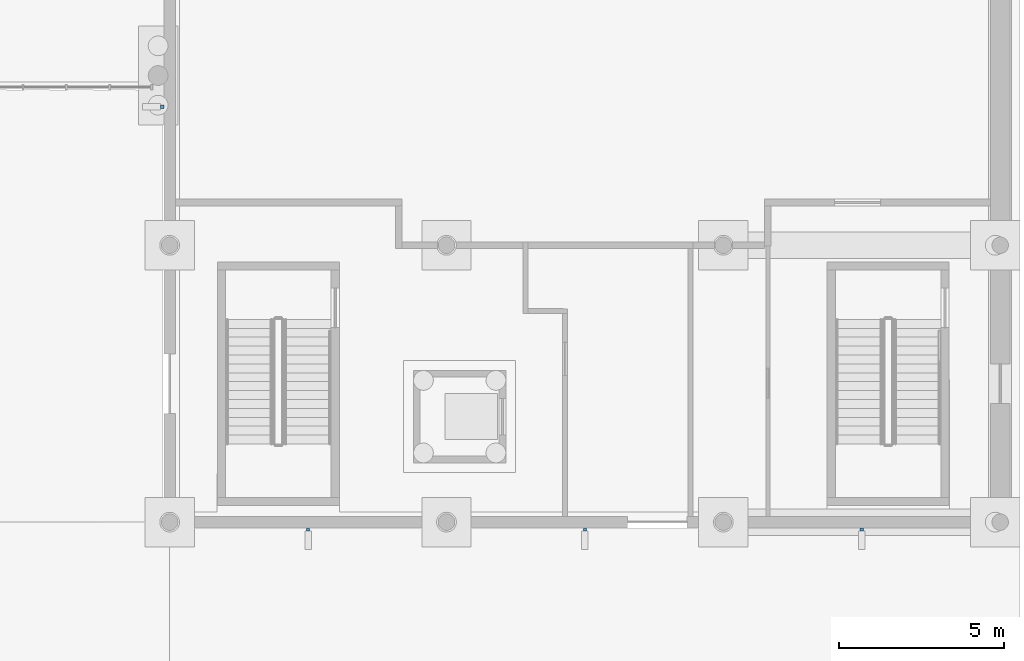
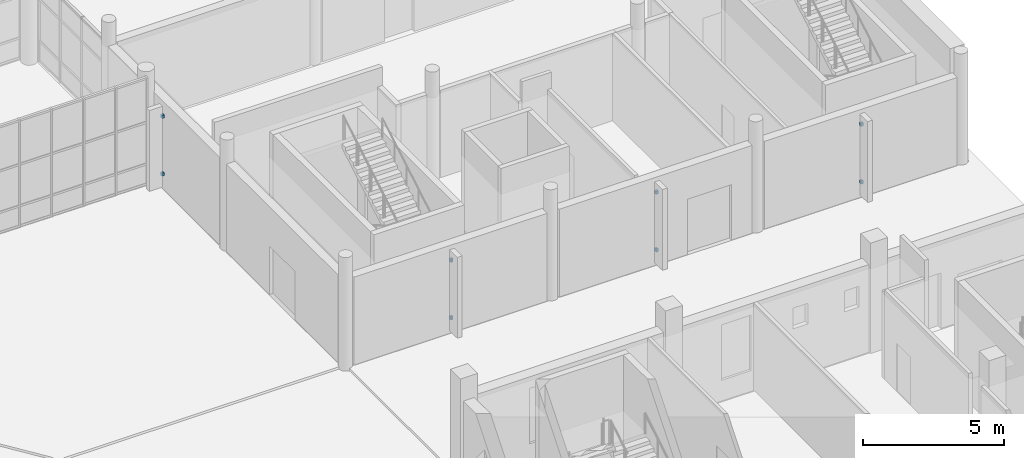
# One storey, part 77 of 110: 8 discrete accessories.
"""IFC4 building model written with IfcOpenShell, lengths in metres."""

from ifc_helpers import new_model, si_unit, direction, frame, origin, origin_2d, place, context, subcontext, project, spatial, rectangle, extrude, material, layer, layer_set, type_object, element, save


model = new_model("IFC4")

# Units and contexts
model_context = context("Model", 3, precision=1e-05, world=origin(), true_north=direction((0.0, 1.0)))
body_context = subcontext(model_context, "Body", "Model", "MODEL_VIEW")
ifc_project = project(units=[si_unit("LENGTHUNIT", "METRE"), si_unit("AREAUNIT", "SQUARE_METRE"), si_unit("VOLUMEUNIT", "CUBIC_METRE"), si_unit("PLANEANGLEUNIT", "RADIAN"), si_unit("MASSUNIT", "GRAM", prefix="KILO")], contexts=[model_context])

# Site, building, storey
site_placement = place(None, origin())
site = spatial("IfcSite", under=ifc_project, at=site_placement, CompositionType="ELEMENT")
building_placement = place(site_placement, origin())
building = spatial("IfcBuilding", under=site, at=building_placement, Name="Larchfold Concert Hall", CompositionType="ELEMENT")
storey_placement = place(building_placement, origin())
storey = spatial("IfcBuildingStorey", under=building, at=storey_placement, Name="L00", CompositionType="ELEMENT", Elevation=0.0)

# Discrete accessories
ifc_material = material(Name="Steel S355 galvanised bracket", Category="steel")
ifc_layer = layer(ifc_material, 0.10009765625)
ifc_layer_set = layer_set([ifc_layer], Name="Steel S355 galvanised bracket")
discrete_accessory_type = type_object("IfcDiscreteAccessoryType", Name="Fin support bracket", PredefinedType="BRACKET", material=ifc_layer_set)
for number, where, z_axis, x_axis, name in (
    (1, (75.974853515625, 122.39990234375, 0.6298828125), (0.0, 0.0, 1.0), (-1.0, 0.0, 0.0), "Fin bracket FN-L00-030-1"),
    (2, (75.974853515625, 122.39990234375, 3.1298828125), (0.0, 0.0, 1.0), (-1.0, 0.0, 0.0), "Fin bracket FN-L00-030-2"),
    (3, (80.39990234375, 109.574951171875, 0.6298828125), (0.0, 0.0, 1.0), (0.0, -1.0, 0.0), "Fin bracket FN-L00-031-1"),
    (4, (80.39990234375, 109.574951171875, 3.1298828125), (0.0, 0.0, 1.0), (0.0, -1.0, 0.0), "Fin bracket FN-L00-031-2"),
    (5, (88.800048828125, 109.574951171875, 0.6298828125), (0.0, 0.0, 1.0), (0.0, -1.0, 0.0), "Fin bracket FN-L00-032-1"),
    (6, (88.800048828125, 109.574951171875, 3.1298828125), (0.0, 0.0, 1.0), (0.0, -1.0, 0.0), "Fin bracket FN-L00-032-2"),
    (7, (97.199951171875, 109.574951171875, 0.6298828125), (0.0, 0.0, 1.0), (0.0, -1.0, 0.0), "Fin bracket FN-L00-033-1"),
    (8, (97.199951171875, 109.574951171875, 3.1298828125), (0.0, 0.0, 1.0), (0.0, -1.0, 0.0), "Fin bracket FN-L00-033-2"),
):
    element("IfcDiscreteAccessory", number, at=place(storey_placement, frame(where, z_axis=z_axis, x_axis=x_axis)), inside=storey, type_object=discrete_accessory_type, Name=name, PredefinedType="BRACKET", context=body_context, shape_type="SweptSolid", body=[
        extrude(rectangle(XDim=0.10009765625, YDim=0.10009765625, at=origin_2d()), origin(), (0.0, 0.0, 1.0), 0.139892578125),
    ])

save(model, "model.ifc")
